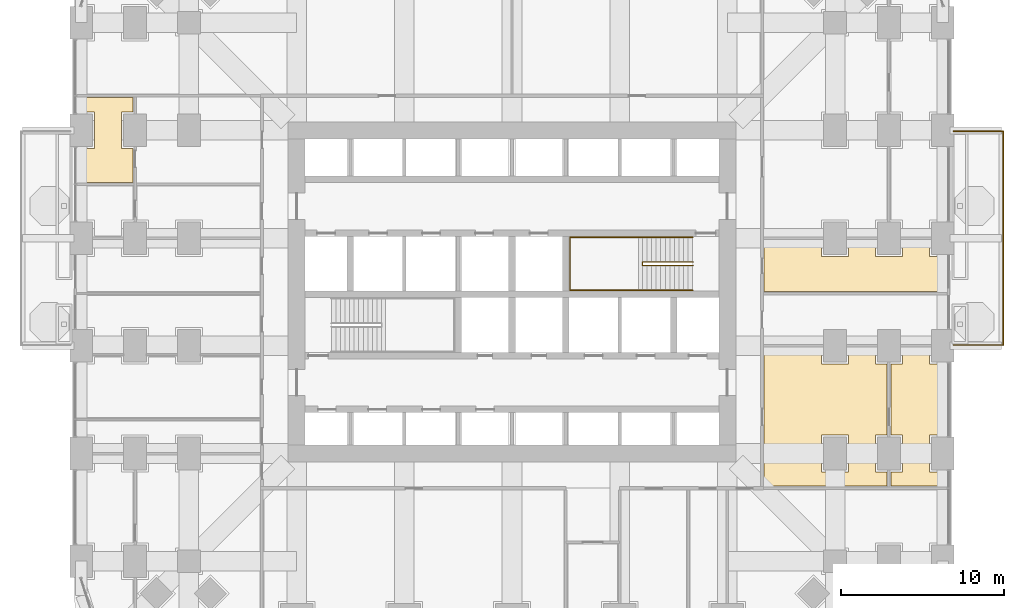
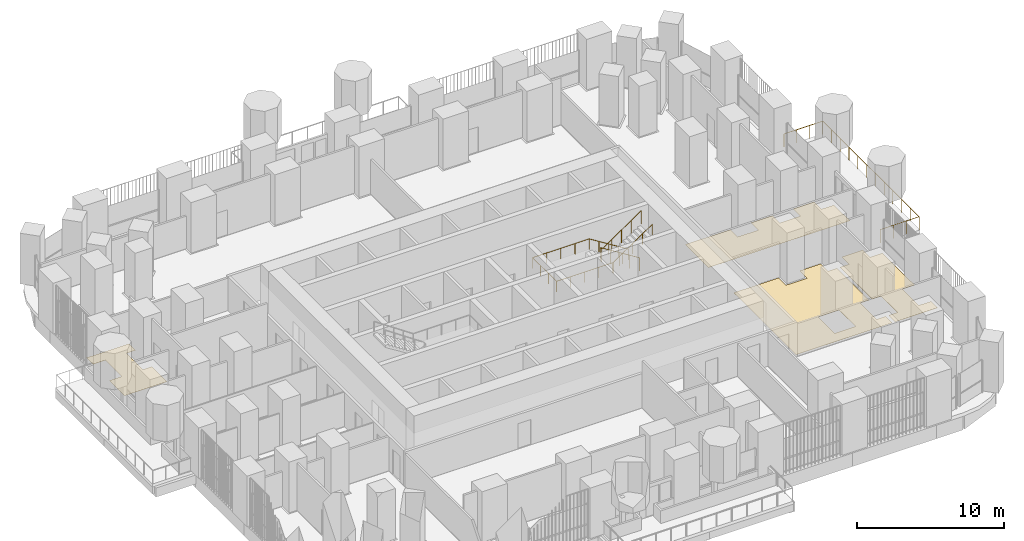
# One storey, part 22 of 24: 4 coverings, 3 railings.
"""IFC4 building model written with IfcOpenShell, lengths in metres."""

from ifc_helpers import new_model, si_unit, direction, frame, origin, place, context, subcontext, project, spatial, polyline, outline, extrude, material, layer, layer_set, type_object, element, save


model = new_model("IFC4")

# Units and contexts
model_context = context("Model", 3, precision=1e-05, world=origin(), true_north=direction((0.0, 1.0)))
body_context = subcontext(model_context, "Body", "Model", "MODEL_VIEW")
ifc_project = project(units=[si_unit("LENGTHUNIT", "METRE"), si_unit("AREAUNIT", "SQUARE_METRE"), si_unit("VOLUMEUNIT", "CUBIC_METRE"), si_unit("PLANEANGLEUNIT", "RADIAN"), si_unit("MASSUNIT", "GRAM", prefix="KILO")], contexts=[model_context])

# Site, building, storey
site_placement = place(None, origin())
site = spatial("IfcSite", under=ifc_project, at=site_placement, CompositionType="ELEMENT")
building_placement = place(site_placement, origin())
building = spatial("IfcBuilding", under=site, at=building_placement, Name="Cobogo Forest Laboratory Tower", CompositionType="ELEMENT")
storey_placement = place(building_placement, frame((0.0, 0.0, 17.10009765625)))
storey = spatial("IfcBuildingStorey", under=building, at=storey_placement, Name="L03", CompositionType="ELEMENT", Elevation=17.10009765625)

# Railing
ifc_material_1 = material(Name="Laminated glass balustrade", Category="glass")
railing_type_1 = type_object("IfcRailingType", Name="BG1 glass balustrade 1100", PredefinedType="GUARDRAIL", material=ifc_material_1)
railing_1_placement = place(storey_placement, frame((53.449951171875, 19.85009765625, 0.0)))
element("IfcRailing", 1, at=railing_1_placement, inside=storey, type_object=railing_type_1, Name="Balcony balustrade BAL-E1 L03", PredefinedType="GUARDRAIL", context=body_context, shape_type="SweptSolid", body=[
    extrude(outline(polyline([(0.022216796875, 0.00927734375), (0.00927734375, 0.022216796875), (-0.00927734375, 0.022216796875), (-0.022216796875, 0.00927734375), (-0.022216796875, -0.00927734375), (-0.00927734375, -0.022216796875), (0.00927734375, -0.022216796875), (0.022216796875, -0.00927734375), (0.022216796875, 0.00927734375)])), frame((0.0, 0.0, 1.077880859375), z_axis=(1.0, 0.0, 0.0), x_axis=(0.0, 1.0, 0.0)), (0.0, 0.0, 1.0), 3.050048828125),
    extrude(outline(polyline([(0.022216796875, 0.00927734375), (0.00927734375, 0.022216796875), (-0.00927734375, 0.022216796875), (-0.022216796875, 0.00927734375), (-0.022216796875, -0.00927734375), (-0.00927734375, -0.022216796875), (0.00927734375, -0.022216796875), (0.022216796875, -0.00927734375), (0.022216796875, 0.00927734375)])), frame((3.050048828125, 0.0, 1.077880859375), z_axis=(0.0, 1.0, 0.0), x_axis=(-1.0, 0.0, 0.0)), (0.0, 0.0, 1.0), 13.099853515625),
    extrude(outline(polyline([(0.022216796875, 0.00927734375), (0.00927734375, 0.022216796875), (-0.00927734375, 0.022216796875), (-0.022216796875, 0.00927734375), (-0.022216796875, -0.00927734375), (-0.00927734375, -0.022216796875), (0.00927734375, -0.022216796875), (0.022216796875, -0.00927734375), (0.022216796875, 0.00927734375)])), frame((3.050048828125, 13.099853515625, 1.077880859375), z_axis=(-1.0, 0.0, 0.0), x_axis=(0.0, -1.0, 0.0)), (0.0, 0.0, 1.0), 3.050048828125),
    extrude(outline(polyline([(0.019287109375, 0.008056640625), (0.008056640625, 0.019287109375), (-0.008056640625, 0.019287109375), (-0.019287109375, 0.008056640625), (-0.019287109375, -0.008056640625), (-0.008056640625, -0.019287109375), (0.008056640625, -0.019287109375), (0.019287109375, -0.008056640625), (0.019287109375, 0.008056640625)])), origin(), (0.0, 0.0, 1.0), 1.077880859375),
    extrude(outline(polyline([(0.019287109375, 0.008056640625), (0.008056640625, 0.019287109375), (-0.008056640625, 0.019287109375), (-0.019287109375, 0.008056640625), (-0.019287109375, -0.008056640625), (-0.008056640625, -0.019287109375), (0.008056640625, -0.019287109375), (0.019287109375, -0.008056640625), (0.019287109375, 0.008056640625)])), frame((1.0166015625, 0.0, 0.0)), (0.0, 0.0, 1.0), 1.077880859375),
    extrude(outline(polyline([(0.019287109375, 0.008056640625), (0.008056640625, 0.019287109375), (-0.008056640625, 0.019287109375), (-0.019287109375, 0.008056640625), (-0.019287109375, -0.008056640625), (-0.008056640625, -0.019287109375), (0.008056640625, -0.019287109375), (0.019287109375, -0.008056640625), (0.019287109375, 0.008056640625)])), frame((2.033447265625, 0.0, 0.0)), (0.0, 0.0, 1.0), 1.077880859375),
    extrude(outline(polyline([(0.019287109375, 0.008056640625), (0.008056640625, 0.019287109375), (-0.008056640625, 0.019287109375), (-0.019287109375, 0.008056640625), (-0.019287109375, -0.008056640625), (-0.008056640625, -0.019287109375), (0.008056640625, -0.019287109375), (0.019287109375, -0.008056640625), (0.019287109375, 0.008056640625)])), frame((3.050048828125, 0.0, 0.0)), (0.0, 0.0, 1.0), 1.077880859375),
    extrude(outline(polyline([(0.019287109375, 0.008056640625), (0.008056640625, 0.019287109375), (-0.008056640625, 0.019287109375), (-0.019287109375, 0.008056640625), (-0.019287109375, -0.008056640625), (-0.008056640625, -0.019287109375), (0.008056640625, -0.019287109375), (0.019287109375, -0.008056640625), (0.019287109375, 0.008056640625)])), frame((3.050048828125, 1.19091796875, 0.0)), (0.0, 0.0, 1.0), 1.077880859375),
    extrude(outline(polyline([(0.019287109375, 0.008056640625), (0.008056640625, 0.019287109375), (-0.008056640625, 0.019287109375), (-0.019287109375, 0.008056640625), (-0.019287109375, -0.008056640625), (-0.008056640625, -0.019287109375), (0.008056640625, -0.019287109375), (0.019287109375, -0.008056640625), (0.019287109375, 0.008056640625)])), frame((3.050048828125, 2.3818359375, 0.0)), (0.0, 0.0, 1.0), 1.077880859375),
    extrude(outline(polyline([(0.019287109375, 0.008056640625), (0.008056640625, 0.019287109375), (-0.008056640625, 0.019287109375), (-0.019287109375, 0.008056640625), (-0.019287109375, -0.008056640625), (-0.008056640625, -0.019287109375), (0.008056640625, -0.019287109375), (0.019287109375, -0.008056640625), (0.019287109375, 0.008056640625)])), frame((3.050048828125, 3.57275390625, 0.0)), (0.0, 0.0, 1.0), 1.077880859375),
    extrude(outline(polyline([(0.019287109375, 0.008056640625), (0.008056640625, 0.019287109375), (-0.008056640625, 0.019287109375), (-0.019287109375, 0.008056640625), (-0.019287109375, -0.008056640625), (-0.008056640625, -0.019287109375), (0.008056640625, -0.019287109375), (0.019287109375, -0.008056640625), (0.019287109375, 0.008056640625)])), frame((3.050048828125, 4.763671875, 0.0)), (0.0, 0.0, 1.0), 1.077880859375),
    extrude(outline(polyline([(0.019287109375, 0.008056640625), (0.008056640625, 0.019287109375), (-0.008056640625, 0.019287109375), (-0.019287109375, 0.008056640625), (-0.019287109375, -0.008056640625), (-0.008056640625, -0.019287109375), (0.008056640625, -0.019287109375), (0.019287109375, -0.008056640625), (0.019287109375, 0.008056640625)])), frame((3.050048828125, 5.95458984375, 0.0)), (0.0, 0.0, 1.0), 1.077880859375),
    extrude(outline(polyline([(0.019287109375, 0.008056640625), (0.008056640625, 0.019287109375), (-0.008056640625, 0.019287109375), (-0.019287109375, 0.008056640625), (-0.019287109375, -0.008056640625), (-0.008056640625, -0.019287109375), (0.008056640625, -0.019287109375), (0.019287109375, -0.008056640625), (0.019287109375, 0.008056640625)])), frame((3.050048828125, 7.145263671875, 0.0)), (0.0, 0.0, 1.0), 1.077880859375),
    extrude(outline(polyline([(0.019287109375, 0.008056640625), (0.008056640625, 0.019287109375), (-0.008056640625, 0.019287109375), (-0.019287109375, 0.008056640625), (-0.019287109375, -0.008056640625), (-0.008056640625, -0.019287109375), (0.008056640625, -0.019287109375), (0.019287109375, -0.008056640625), (0.019287109375, 0.008056640625)])), frame((3.050048828125, 8.336181640625, 0.0)), (0.0, 0.0, 1.0), 1.077880859375),
    extrude(outline(polyline([(0.019287109375, 0.008056640625), (0.008056640625, 0.019287109375), (-0.008056640625, 0.019287109375), (-0.019287109375, 0.008056640625), (-0.019287109375, -0.008056640625), (-0.008056640625, -0.019287109375), (0.008056640625, -0.019287109375), (0.019287109375, -0.008056640625), (0.019287109375, 0.008056640625)])), frame((3.050048828125, 9.527099609375, 0.0)), (0.0, 0.0, 1.0), 1.077880859375),
    extrude(outline(polyline([(0.019287109375, 0.008056640625), (0.008056640625, 0.019287109375), (-0.008056640625, 0.019287109375), (-0.019287109375, 0.008056640625), (-0.019287109375, -0.008056640625), (-0.008056640625, -0.019287109375), (0.008056640625, -0.019287109375), (0.019287109375, -0.008056640625), (0.019287109375, 0.008056640625)])), frame((3.050048828125, 10.718017578125, 0.0)), (0.0, 0.0, 1.0), 1.077880859375),
    extrude(outline(polyline([(0.019287109375, 0.008056640625), (0.008056640625, 0.019287109375), (-0.008056640625, 0.019287109375), (-0.019287109375, 0.008056640625), (-0.019287109375, -0.008056640625), (-0.008056640625, -0.019287109375), (0.008056640625, -0.019287109375), (0.019287109375, -0.008056640625), (0.019287109375, 0.008056640625)])), frame((3.050048828125, 11.908935546875, 0.0)), (0.0, 0.0, 1.0), 1.077880859375),
    extrude(outline(polyline([(0.019287109375, 0.008056640625), (0.008056640625, 0.019287109375), (-0.008056640625, 0.019287109375), (-0.019287109375, 0.008056640625), (-0.019287109375, -0.008056640625), (-0.008056640625, -0.019287109375), (0.008056640625, -0.019287109375), (0.019287109375, -0.008056640625), (0.019287109375, 0.008056640625)])), frame((3.050048828125, 13.099853515625, 0.0)), (0.0, 0.0, 1.0), 1.077880859375),
    extrude(outline(polyline([(0.019287109375, 0.008056640625), (0.008056640625, 0.019287109375), (-0.008056640625, 0.019287109375), (-0.019287109375, 0.008056640625), (-0.019287109375, -0.008056640625), (-0.008056640625, -0.019287109375), (0.008056640625, -0.019287109375), (0.019287109375, -0.008056640625), (0.019287109375, 0.008056640625)])), frame((2.033447265625, 13.099853515625, 0.0)), (0.0, 0.0, 1.0), 1.077880859375),
    extrude(outline(polyline([(0.019287109375, 0.008056640625), (0.008056640625, 0.019287109375), (-0.008056640625, 0.019287109375), (-0.019287109375, 0.008056640625), (-0.019287109375, -0.008056640625), (-0.008056640625, -0.019287109375), (0.008056640625, -0.019287109375), (0.019287109375, -0.008056640625), (0.019287109375, 0.008056640625)])), frame((1.0166015625, 13.099853515625, 0.0)), (0.0, 0.0, 1.0), 1.077880859375),
    extrude(outline(polyline([(0.019287109375, 0.008056640625), (0.008056640625, 0.019287109375), (-0.008056640625, 0.019287109375), (-0.019287109375, 0.008056640625), (-0.019287109375, -0.008056640625), (-0.008056640625, -0.019287109375), (0.008056640625, -0.019287109375), (0.019287109375, -0.008056640625), (0.019287109375, 0.008056640625)])), frame((0.0, 13.099853515625, 0.0)), (0.0, 0.0, 1.0), 1.077880859375),
])

# Coverings
ifc_material_2 = material(Name="Carpet tile on raised access floor", Category="flooring")
ifc_layer_1 = layer(ifc_material_2, 0.008056640625)
ifc_layer_set_1 = layer_set([ifc_layer_1], Name="CT1 carpet tile floor 8")
covering_type_1 = type_object("IfcCoveringType", Name="CT1 carpet tile floor 8", PredefinedType="FLOORING", material=ifc_layer_set_1)
covering_1_placement = place(storey_placement, origin())
element("IfcCovering", 2, at=covering_1_placement, inside=storey, type_object=covering_type_1, Name="Carpet floor L03-10", PredefinedType="FLOORING", context=body_context, shape_type="SweptSolid", body=[
    extrude(outline(polyline([(49.6201171875, 12.080078125), (50.320068359375, 12.080078125), (50.320068359375, 14.320068359375), (49.6201171875, 14.320068359375), (49.6201171875, 18.679931640625), (50.320068359375, 18.679931640625), (50.320068359375, 19.679931640625), (51.97998046875, 19.679931640625), (51.97998046875, 18.679931640625), (52.949951171875, 18.679931640625), (52.949951171875, 14.320068359375), (51.97998046875, 14.320068359375), (51.97998046875, 12.080078125), (52.949951171875, 12.080078125), (52.949951171875, 11.195068359375), (49.6201171875, 11.195068359375), (49.6201171875, 12.080078125)])), origin(), (0.0, 0.0, 1.0), 0.0078125),
])
covering_2_placement = place(storey_placement, origin())
element("IfcCovering", 3, at=covering_2_placement, inside=storey, type_object=covering_type_1, Name="Carpet floor L03-28", PredefinedType="FLOORING", context=body_context, shape_type="SweptSolid", body=[
    extrude(outline(polyline([(3.179931640625, 34.1201171875), (2.47998046875, 34.1201171875), (2.47998046875, 31.8798828125), (3.179931640625, 31.8798828125), (3.179931640625, 29.820068359375), (-0.14990234375, 29.820068359375), (-0.14990234375, 31.8798828125), (0.820068359375, 31.8798828125), (0.820068359375, 34.1201171875), (-0.14990234375, 34.1201171875), (-0.14990234375, 35.0048828125), (3.179931640625, 35.0048828125), (3.179931640625, 34.1201171875)])), origin(), (0.0, 0.0, 1.0), 0.0078125),
])

# Railings
ifc_material_3 = material(Name="Steel balustrade", Category="steel")
railing_type_2 = type_object("IfcRailingType", Name="GR stair guard 1100", PredefinedType="GUARDRAIL", material=ifc_material_3)
railing_2_placement = place(storey_placement, frame((37.47509765625, 24.929931640625, 0.1748046875)))
element("IfcRailing", 4, at=railing_2_placement, inside=storey, type_object=railing_type_2, Name="Stair guard ST2 L03", PredefinedType="GUARDRAIL", context=body_context, shape_type="SweptSolid", body=[
    extrude(outline(polyline([(0.022216796875, 0.00927734375), (0.00927734375, 0.022216796875), (-0.00927734375, 0.022216796875), (-0.022216796875, 0.00927734375), (-0.022216796875, -0.00927734375), (-0.00927734375, -0.022216796875), (0.00927734375, -0.022216796875), (0.022216796875, -0.00927734375), (0.022216796875, 0.00927734375)])), frame((0.0, 0.0, 1.077880859375), z_axis=(-0.847998304005, 0.0, 0.529998940003), x_axis=(0.0, -1.0, 0.0)), (0.0, 0.0, 1.0), 3.632080078125),
    extrude(outline(polyline([(0.022216796875, 0.00927734375), (0.00927734375, 0.022216796875), (-0.00927734375, 0.022216796875), (-0.022216796875, 0.00927734375), (-0.022216796875, -0.00927734375), (-0.00927734375, -0.022216796875), (0.00927734375, -0.022216796875), (0.022216796875, -0.00927734375), (0.022216796875, 0.00927734375)])), frame((-3.080078125, 0.0, 3.0029296875), z_axis=(0.0, -1.0, 0.0), x_axis=(1.0, 0.0, 0.0)), (0.0, 0.0, 1.0), 0.2099609375),
    extrude(outline(polyline([(0.022216796875, 0.00927734375), (0.00927734375, 0.022216796875), (-0.00927734375, 0.022216796875), (-0.022216796875, 0.00927734375), (-0.022216796875, -0.00927734375), (-0.00927734375, -0.022216796875), (0.00927734375, -0.022216796875), (0.022216796875, -0.00927734375), (0.022216796875, 0.00927734375)])), frame((-3.080078125, -0.2099609375, 3.0029296875), z_axis=(0.826221800596, 0.0, 0.563344953133), x_axis=(0.0, 1.0, 0.0)), (0.0, 0.0, 1.0), 3.72802734375),
    extrude(outline(polyline([(0.019287109375, 0.008056640625), (0.008056640625, 0.019287109375), (-0.008056640625, 0.019287109375), (-0.019287109375, 0.008056640625), (-0.019287109375, -0.008056640625), (-0.008056640625, -0.019287109375), (0.008056640625, -0.019287109375), (0.019287109375, -0.008056640625), (0.019287109375, 0.008056640625)])), origin(), (0.0, 0.0, 1.0), 1.077880859375),
    extrude(outline(polyline([(0.019287109375, 0.008056640625), (0.008056640625, 0.019287109375), (-0.008056640625, 0.019287109375), (-0.019287109375, 0.008056640625), (-0.019287109375, -0.008056640625), (-0.008056640625, -0.019287109375), (0.008056640625, -0.019287109375), (0.019287109375, -0.008056640625), (0.019287109375, 0.008056640625)])), frame((-0.77001953125, 0.0, 0.481201171875)), (0.0, 0.0, 1.0), 1.077880859375),
    extrude(outline(polyline([(0.019287109375, 0.008056640625), (0.008056640625, 0.019287109375), (-0.008056640625, 0.019287109375), (-0.019287109375, 0.008056640625), (-0.019287109375, -0.008056640625), (-0.008056640625, -0.019287109375), (0.008056640625, -0.019287109375), (0.019287109375, -0.008056640625), (0.019287109375, 0.008056640625)])), frame((-1.5400390625, 0.0, 0.96240234375)), (0.0, 0.0, 1.0), 1.077880859375),
    extrude(outline(polyline([(0.019287109375, 0.008056640625), (0.008056640625, 0.019287109375), (-0.008056640625, 0.019287109375), (-0.019287109375, 0.008056640625), (-0.019287109375, -0.008056640625), (-0.008056640625, -0.019287109375), (0.008056640625, -0.019287109375), (0.019287109375, -0.008056640625), (0.019287109375, 0.008056640625)])), frame((-2.31005859375, 0.0, 1.44384765625)), (0.0, 0.0, 1.0), 1.077880859375),
    extrude(outline(polyline([(0.019287109375, 0.008056640625), (0.008056640625, 0.019287109375), (-0.008056640625, 0.019287109375), (-0.019287109375, 0.008056640625), (-0.019287109375, -0.008056640625), (-0.008056640625, -0.019287109375), (0.008056640625, -0.019287109375), (0.019287109375, -0.008056640625), (0.019287109375, 0.008056640625)])), frame((-3.080078125, 0.0, 1.925048828125)), (0.0, 0.0, 1.0), 1.077880859375),
    extrude(outline(polyline([(0.019287109375, 0.008056640625), (0.008056640625, 0.019287109375), (-0.008056640625, 0.019287109375), (-0.019287109375, 0.008056640625), (-0.019287109375, -0.008056640625), (-0.008056640625, -0.019287109375), (0.008056640625, -0.019287109375), (0.019287109375, -0.008056640625), (0.019287109375, 0.008056640625)])), frame((-3.080078125, -0.2099609375, 1.925048828125)), (0.0, 0.0, 1.0), 1.077880859375),
    extrude(outline(polyline([(0.019287109375, 0.008056640625), (0.008056640625, 0.019287109375), (-0.008056640625, 0.019287109375), (-0.019287109375, 0.008056640625), (-0.019287109375, -0.008056640625), (-0.008056640625, -0.019287109375), (0.008056640625, -0.019287109375), (0.019287109375, -0.008056640625), (0.019287109375, 0.008056640625)])), frame((-2.31005859375, -0.2099609375, 2.4501953125)), (0.0, 0.0, 1.0), 1.077880859375),
    extrude(outline(polyline([(0.019287109375, 0.008056640625), (0.008056640625, 0.019287109375), (-0.008056640625, 0.019287109375), (-0.019287109375, 0.008056640625), (-0.019287109375, -0.008056640625), (-0.008056640625, -0.019287109375), (0.008056640625, -0.019287109375), (0.019287109375, -0.008056640625), (0.019287109375, 0.008056640625)])), frame((-1.5400390625, -0.2099609375, 2.97509765625)), (0.0, 0.0, 1.0), 1.077880859375),
    extrude(outline(polyline([(0.019287109375, 0.008056640625), (0.008056640625, 0.019287109375), (-0.008056640625, 0.019287109375), (-0.019287109375, 0.008056640625), (-0.019287109375, -0.008056640625), (-0.008056640625, -0.019287109375), (0.008056640625, -0.019287109375), (0.019287109375, -0.008056640625), (0.019287109375, 0.008056640625)])), frame((-0.77001953125, -0.2099609375, 3.5)), (0.0, 0.0, 1.0), 1.077880859375),
    extrude(outline(polyline([(0.019287109375, 0.008056640625), (0.008056640625, 0.019287109375), (-0.008056640625, 0.019287109375), (-0.019287109375, 0.008056640625), (-0.019287109375, -0.008056640625), (-0.008056640625, -0.019287109375), (0.008056640625, -0.019287109375), (0.019287109375, -0.008056640625), (0.019287109375, 0.008056640625)])), frame((0.0, -0.2099609375, 4.025146484375)), (0.0, 0.0, 1.0), 1.077880859375),
])
ifc_material_4 = material(Name="Stainless steel handrail", Category="steel")
railing_type_3 = type_object("IfcRailingType", Name="HR handrail 900", PredefinedType="HANDRAIL", material=ifc_material_4)
railing_3_placement = place(storey_placement, frame((37.47509765625, 26.449951171875, 0.1748046875)))
element("IfcRailing", 5, at=railing_3_placement, inside=storey, type_object=railing_type_3, Name="Stair handrail ST2 L03", PredefinedType="HANDRAIL", context=body_context, shape_type="SweptSolid", body=[
    extrude(outline(polyline([(0.022216796875, 0.00927734375), (0.00927734375, 0.022216796875), (-0.00927734375, 0.022216796875), (-0.022216796875, 0.00927734375), (-0.022216796875, -0.00927734375), (-0.00927734375, -0.022216796875), (0.00927734375, -0.022216796875), (0.022216796875, -0.00927734375), (0.022216796875, 0.00927734375)])), frame((0.0, 0.0, 0.877685546875), z_axis=(-0.847998304005, 0.0, 0.529998940003), x_axis=(0.0, -1.0, 0.0)), (0.0, 0.0, 1.0), 3.632080078125),
    extrude(outline(polyline([(0.022216796875, 0.00927734375), (0.00927734375, 0.022216796875), (-0.00927734375, 0.022216796875), (-0.022216796875, 0.00927734375), (-0.022216796875, -0.00927734375), (-0.00927734375, -0.022216796875), (0.00927734375, -0.022216796875), (0.022216796875, -0.00927734375), (0.022216796875, 0.00927734375)])), frame((-3.080078125, 0.0, 2.802734375), z_axis=(-1.0, 0.0, 0.0), x_axis=(0.0, -1.0, 0.0)), (0.0, 0.0, 1.0), 4.445068359375),
    extrude(outline(polyline([(0.022216796875, 0.00927734375), (0.00927734375, 0.022216796875), (-0.00927734375, 0.022216796875), (-0.022216796875, 0.00927734375), (-0.022216796875, -0.00927734375), (-0.00927734375, -0.022216796875), (0.00927734375, -0.022216796875), (0.022216796875, -0.00927734375), (0.022216796875, 0.00927734375)])), frame((-7.525146484375, 0.0, 2.802734375), z_axis=(0.0, -1.0, 0.0), x_axis=(1.0, 0.0, 0.0)), (0.0, 0.0, 1.0), 3.25),
    extrude(outline(polyline([(0.022216796875, 0.00927734375), (0.00927734375, 0.022216796875), (-0.00927734375, 0.022216796875), (-0.022216796875, 0.00927734375), (-0.022216796875, -0.00927734375), (-0.00927734375, -0.022216796875), (0.00927734375, -0.022216796875), (0.022216796875, -0.00927734375), (0.022216796875, 0.00927734375)])), frame((-7.525146484375, -3.25, 2.802734375), z_axis=(1.0, 0.0, 0.0), x_axis=(0.0, 1.0, 0.0)), (0.0, 0.0, 1.0), 4.445068359375),
    extrude(outline(polyline([(0.022216796875, 0.00927734375), (0.00927734375, 0.022216796875), (-0.00927734375, 0.022216796875), (-0.022216796875, 0.00927734375), (-0.022216796875, -0.00927734375), (-0.00927734375, -0.022216796875), (0.00927734375, -0.022216796875), (0.022216796875, -0.00927734375), (0.022216796875, 0.00927734375)])), frame((-3.080078125, -3.25, 2.802734375), z_axis=(0.826221800596, 0.0, 0.563344953133), x_axis=(0.0, 1.0, 0.0)), (0.0, 0.0, 1.0), 3.72802734375),
    extrude(outline(polyline([(0.019287109375, 0.008056640625), (0.008056640625, 0.019287109375), (-0.008056640625, 0.019287109375), (-0.019287109375, 0.008056640625), (-0.019287109375, -0.008056640625), (-0.008056640625, -0.019287109375), (0.008056640625, -0.019287109375), (0.019287109375, -0.008056640625), (0.019287109375, 0.008056640625)])), origin(), (0.0, 0.0, 1.0), 0.877685546875),
    extrude(outline(polyline([(0.019287109375, 0.008056640625), (0.008056640625, 0.019287109375), (-0.008056640625, 0.019287109375), (-0.019287109375, 0.008056640625), (-0.019287109375, -0.008056640625), (-0.008056640625, -0.019287109375), (0.008056640625, -0.019287109375), (0.019287109375, -0.008056640625), (0.019287109375, 0.008056640625)])), frame((-0.77001953125, 0.0, 0.481201171875)), (0.0, 0.0, 1.0), 0.877685546875),
    extrude(outline(polyline([(0.019287109375, 0.008056640625), (0.008056640625, 0.019287109375), (-0.008056640625, 0.019287109375), (-0.019287109375, 0.008056640625), (-0.019287109375, -0.008056640625), (-0.008056640625, -0.019287109375), (0.008056640625, -0.019287109375), (0.019287109375, -0.008056640625), (0.019287109375, 0.008056640625)])), frame((-1.5400390625, 0.0, 0.96240234375)), (0.0, 0.0, 1.0), 0.877685546875),
    extrude(outline(polyline([(0.019287109375, 0.008056640625), (0.008056640625, 0.019287109375), (-0.008056640625, 0.019287109375), (-0.019287109375, 0.008056640625), (-0.019287109375, -0.008056640625), (-0.008056640625, -0.019287109375), (0.008056640625, -0.019287109375), (0.019287109375, -0.008056640625), (0.019287109375, 0.008056640625)])), frame((-2.31005859375, 0.0, 1.44384765625)), (0.0, 0.0, 1.0), 0.877685546875),
    extrude(outline(polyline([(0.019287109375, 0.008056640625), (0.008056640625, 0.019287109375), (-0.008056640625, 0.019287109375), (-0.019287109375, 0.008056640625), (-0.019287109375, -0.008056640625), (-0.008056640625, -0.019287109375), (0.008056640625, -0.019287109375), (0.019287109375, -0.008056640625), (0.019287109375, 0.008056640625)])), frame((-3.080078125, 0.0, 1.925048828125)), (0.0, 0.0, 1.0), 0.877685546875),
    extrude(outline(polyline([(0.019287109375, 0.008056640625), (0.008056640625, 0.019287109375), (-0.008056640625, 0.019287109375), (-0.019287109375, 0.008056640625), (-0.019287109375, -0.008056640625), (-0.008056640625, -0.019287109375), (0.008056640625, -0.019287109375), (0.019287109375, -0.008056640625), (0.019287109375, 0.008056640625)])), frame((-4.19140625, 0.0, 1.925048828125)), (0.0, 0.0, 1.0), 0.877685546875),
    extrude(outline(polyline([(0.019287109375, 0.008056640625), (0.008056640625, 0.019287109375), (-0.008056640625, 0.019287109375), (-0.019287109375, 0.008056640625), (-0.019287109375, -0.008056640625), (-0.008056640625, -0.019287109375), (0.008056640625, -0.019287109375), (0.019287109375, -0.008056640625), (0.019287109375, 0.008056640625)])), frame((-5.302734375, 0.0, 1.925048828125)), (0.0, 0.0, 1.0), 0.877685546875),
    extrude(outline(polyline([(0.019287109375, 0.008056640625), (0.008056640625, 0.019287109375), (-0.008056640625, 0.019287109375), (-0.019287109375, 0.008056640625), (-0.019287109375, -0.008056640625), (-0.008056640625, -0.019287109375), (0.008056640625, -0.019287109375), (0.019287109375, -0.008056640625), (0.019287109375, 0.008056640625)])), frame((-6.413818359375, 0.0, 1.925048828125)), (0.0, 0.0, 1.0), 0.877685546875),
    extrude(outline(polyline([(0.019287109375, 0.008056640625), (0.008056640625, 0.019287109375), (-0.008056640625, 0.019287109375), (-0.019287109375, 0.008056640625), (-0.019287109375, -0.008056640625), (-0.008056640625, -0.019287109375), (0.008056640625, -0.019287109375), (0.019287109375, -0.008056640625), (0.019287109375, 0.008056640625)])), frame((-7.525146484375, 0.0, 1.925048828125)), (0.0, 0.0, 1.0), 0.877685546875),
    extrude(outline(polyline([(0.019287109375, 0.008056640625), (0.008056640625, 0.019287109375), (-0.008056640625, 0.019287109375), (-0.019287109375, 0.008056640625), (-0.019287109375, -0.008056640625), (-0.008056640625, -0.019287109375), (0.008056640625, -0.019287109375), (0.019287109375, -0.008056640625), (0.019287109375, 0.008056640625)])), frame((-7.525146484375, -1.083251953125, 1.925048828125)), (0.0, 0.0, 1.0), 0.877685546875),
    extrude(outline(polyline([(0.019287109375, 0.008056640625), (0.008056640625, 0.019287109375), (-0.008056640625, 0.019287109375), (-0.019287109375, 0.008056640625), (-0.019287109375, -0.008056640625), (-0.008056640625, -0.019287109375), (0.008056640625, -0.019287109375), (0.019287109375, -0.008056640625), (0.019287109375, 0.008056640625)])), frame((-7.525146484375, -2.166748046875, 1.925048828125)), (0.0, 0.0, 1.0), 0.877685546875),
    extrude(outline(polyline([(0.019287109375, 0.008056640625), (0.008056640625, 0.019287109375), (-0.008056640625, 0.019287109375), (-0.019287109375, 0.008056640625), (-0.019287109375, -0.008056640625), (-0.008056640625, -0.019287109375), (0.008056640625, -0.019287109375), (0.019287109375, -0.008056640625), (0.019287109375, 0.008056640625)])), frame((-7.525146484375, -3.25, 1.925048828125)), (0.0, 0.0, 1.0), 0.877685546875),
    extrude(outline(polyline([(0.019287109375, 0.008056640625), (0.008056640625, 0.019287109375), (-0.008056640625, 0.019287109375), (-0.019287109375, 0.008056640625), (-0.019287109375, -0.008056640625), (-0.008056640625, -0.019287109375), (0.008056640625, -0.019287109375), (0.019287109375, -0.008056640625), (0.019287109375, 0.008056640625)])), frame((-6.413818359375, -3.25, 1.925048828125)), (0.0, 0.0, 1.0), 0.877685546875),
    extrude(outline(polyline([(0.019287109375, 0.008056640625), (0.008056640625, 0.019287109375), (-0.008056640625, 0.019287109375), (-0.019287109375, 0.008056640625), (-0.019287109375, -0.008056640625), (-0.008056640625, -0.019287109375), (0.008056640625, -0.019287109375), (0.019287109375, -0.008056640625), (0.019287109375, 0.008056640625)])), frame((-5.302734375, -3.25, 1.925048828125)), (0.0, 0.0, 1.0), 0.877685546875),
    extrude(outline(polyline([(0.019287109375, 0.008056640625), (0.008056640625, 0.019287109375), (-0.008056640625, 0.019287109375), (-0.019287109375, 0.008056640625), (-0.019287109375, -0.008056640625), (-0.008056640625, -0.019287109375), (0.008056640625, -0.019287109375), (0.019287109375, -0.008056640625), (0.019287109375, 0.008056640625)])), frame((-4.19140625, -3.25, 1.925048828125)), (0.0, 0.0, 1.0), 0.877685546875),
    extrude(outline(polyline([(0.019287109375, 0.008056640625), (0.008056640625, 0.019287109375), (-0.008056640625, 0.019287109375), (-0.019287109375, 0.008056640625), (-0.019287109375, -0.008056640625), (-0.008056640625, -0.019287109375), (0.008056640625, -0.019287109375), (0.019287109375, -0.008056640625), (0.019287109375, 0.008056640625)])), frame((-3.080078125, -3.25, 1.925048828125)), (0.0, 0.0, 1.0), 0.877685546875),
    extrude(outline(polyline([(0.019287109375, 0.008056640625), (0.008056640625, 0.019287109375), (-0.008056640625, 0.019287109375), (-0.019287109375, 0.008056640625), (-0.019287109375, -0.008056640625), (-0.008056640625, -0.019287109375), (0.008056640625, -0.019287109375), (0.019287109375, -0.008056640625), (0.019287109375, 0.008056640625)])), frame((-2.31005859375, -3.25, 2.4501953125)), (0.0, 0.0, 1.0), 0.877685546875),
    extrude(outline(polyline([(0.019287109375, 0.008056640625), (0.008056640625, 0.019287109375), (-0.008056640625, 0.019287109375), (-0.019287109375, 0.008056640625), (-0.019287109375, -0.008056640625), (-0.008056640625, -0.019287109375), (0.008056640625, -0.019287109375), (0.019287109375, -0.008056640625), (0.019287109375, 0.008056640625)])), frame((-1.5400390625, -3.25, 2.97509765625)), (0.0, 0.0, 1.0), 0.877685546875),
    extrude(outline(polyline([(0.019287109375, 0.008056640625), (0.008056640625, 0.019287109375), (-0.008056640625, 0.019287109375), (-0.019287109375, 0.008056640625), (-0.019287109375, -0.008056640625), (-0.008056640625, -0.019287109375), (0.008056640625, -0.019287109375), (0.019287109375, -0.008056640625), (0.019287109375, 0.008056640625)])), frame((-0.77001953125, -3.25, 3.5)), (0.0, 0.0, 1.0), 0.877685546875),
    extrude(outline(polyline([(0.019287109375, 0.008056640625), (0.008056640625, 0.019287109375), (-0.008056640625, 0.019287109375), (-0.019287109375, 0.008056640625), (-0.019287109375, -0.008056640625), (-0.008056640625, -0.019287109375), (0.008056640625, -0.019287109375), (0.019287109375, -0.008056640625), (0.019287109375, 0.008056640625)])), frame((0.0, -3.25, 4.025146484375)), (0.0, 0.0, 1.0), 0.877685546875),
])

# Coverings
ifc_material_5 = material(Name="Epoxy resin flooring", Category="flooring")
ifc_layer_2 = layer(ifc_material_5, 0.00390625)
ifc_layer_set_2 = layer_set([ifc_layer_2], Name="LF1 epoxy laboratory floor 4")
covering_type_2 = type_object("IfcCoveringType", Name="LF1 epoxy laboratory floor 4", PredefinedType="FLOORING", material=ifc_layer_set_2)
covering_3_placement = place(storey_placement, origin())
element("IfcCovering", 6, at=covering_3_placement, inside=storey, type_object=covering_type_2, Name="Epoxy laboratory floor L03-09", PredefinedType="FLOORING", context=body_context, shape_type="SweptSolid", body=[
    extrude(outline(polyline([(41.844970703125, 19.679931640625), (45.3798828125, 19.679931640625), (45.3798828125, 18.679931640625), (47.02001953125, 18.679931640625), (47.02001953125, 19.679931640625), (48.679931640625, 19.679931640625), (48.679931640625, 18.679931640625), (49.3798828125, 18.679931640625), (49.3798828125, 14.320068359375), (48.679931640625, 14.320068359375), (48.679931640625, 12.080078125), (49.3798828125, 12.080078125), (49.3798828125, 11.195068359375), (41.844970703125, 11.195068359375), (41.844970703125, 19.679931640625)]), holes=[polyline([(45.3798828125, 12.080078125), (47.02001953125, 12.080078125), (47.02001953125, 14.320068359375), (45.3798828125, 14.320068359375), (45.3798828125, 12.080078125)])]), origin(), (0.0, 0.0, 1.0), 0.00390625),
])
ifc_material_6 = material(Name="Static-dissipative vinyl flooring", Category="flooring")
ifc_layer_3 = layer(ifc_material_6, 0.0029296875)
ifc_layer_set_3 = layer_set([ifc_layer_3], Name="SD1 static-dissipative vinyl floor 3")
covering_type_3 = type_object("IfcCoveringType", Name="SD1 static-dissipative vinyl floor 3", PredefinedType="FLOORING", material=ifc_layer_set_3)
covering_4_placement = place(storey_placement, origin())
element("IfcCovering", 7, at=covering_4_placement, inside=storey, type_object=covering_type_3, Name="Static-dissipative floor L03-12", PredefinedType="FLOORING", context=body_context, shape_type="SweptSolid", body=[
    extrude(outline(polyline([(41.844970703125, 26.280029296875), (45.3798828125, 26.280029296875), (45.3798828125, 25.280029296875), (47.02001953125, 25.280029296875), (47.02001953125, 26.280029296875), (48.679931640625, 26.280029296875), (48.679931640625, 25.280029296875), (50.320068359375, 25.280029296875), (50.320068359375, 26.280029296875), (51.97998046875, 26.280029296875), (51.97998046875, 25.280029296875), (52.949951171875, 25.280029296875), (52.949951171875, 23.1201171875), (41.844970703125, 23.1201171875), (41.844970703125, 26.280029296875)])), origin(), (0.0, 0.0, 1.0), 0.0029296875),
])

save(model, "model.ifc")
